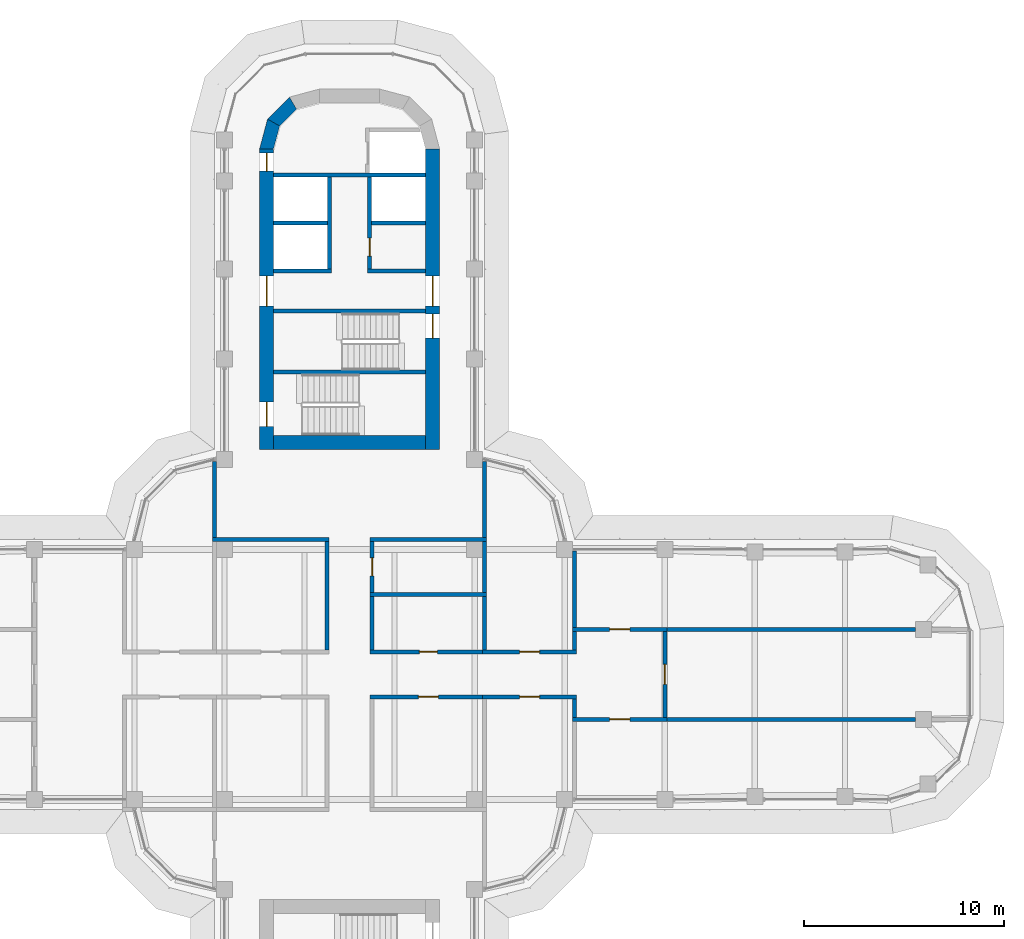
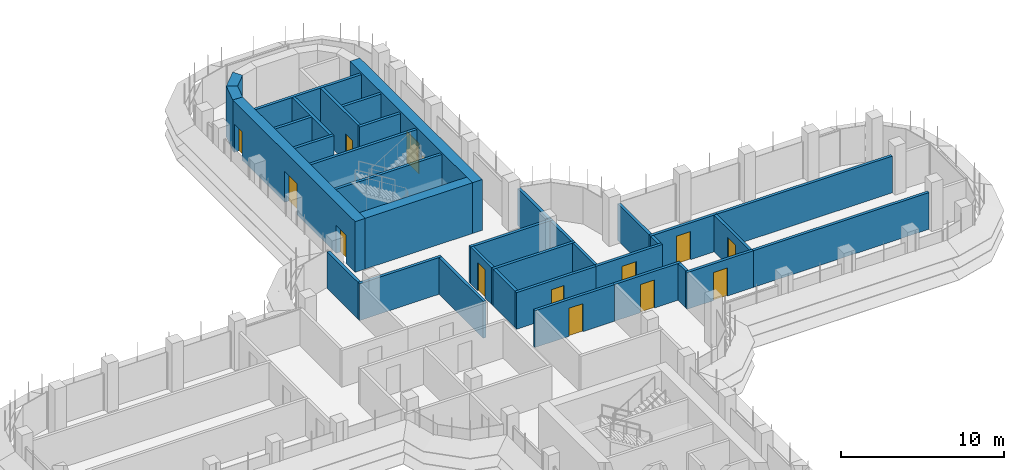
# One storey, part 15 of 20: 36 walls, 14 doors, 14 openings.
"""IFC4 building model written with IfcOpenShell, lengths in metres."""

from ifc_helpers import new_model, si_unit, direction, frame, frame_2d, origin, place, context, subcontext, project, spatial, polyline, rectangle, outline, extrude, material, layer, layer_set, type_object, element, fill, save


model = new_model("IFC4")

# Units and contexts
model_context = context("Model", 3, precision=1e-05, world=origin(), true_north=direction((0.0, 1.0)))
body_context = subcontext(model_context, "Body", "Model", "MODEL_VIEW")
ifc_project = project(units=[si_unit("LENGTHUNIT", "METRE"), si_unit("AREAUNIT", "SQUARE_METRE"), si_unit("VOLUMEUNIT", "CUBIC_METRE"), si_unit("PLANEANGLEUNIT", "RADIAN"), si_unit("MASSUNIT", "GRAM", prefix="KILO")], contexts=[model_context])

# Site, building, storey
site_placement = place(None, origin())
site = spatial("IfcSite", under=ifc_project, at=site_placement, CompositionType="ELEMENT")
building_placement = place(site_placement, origin())
building = spatial("IfcBuilding", under=site, at=building_placement, Name="Zarbagh Exchange Tower", CompositionType="ELEMENT")
storey_placement = place(building_placement, frame((0.0, 0.0, 141.0)))
storey = spatial("IfcBuildingStorey", under=building, at=storey_placement, Name="L33", CompositionType="ELEMENT", Elevation=141.0)

# Wall, opening, door
ifc_material_1 = material(Name="Fire-rated plasterboard partition")
ifc_layer_1 = layer(ifc_material_1, 0.199951171875)
ifc_layer_set_1 = layer_set([ifc_layer_1], Name="RATED PARTITION 200")
wall_type_1 = type_object("IfcWallType", Name="RATED PARTITION 200", PredefinedType="PARTITIONING", material=ifc_layer_set_1)
wall_1_placement = place(storey_placement, frame((1.02490234375, 1.125, 0.0), z_axis=(0.0, 0.0, 1.0), x_axis=(1.0, 0.0, 0.0)))
wall_1 = element("IfcWall", 1, at=wall_1_placement, inside=storey, type_object=wall_type_1, Name="Partition W-1401", PredefinedType="PARTITIONING", context=body_context, shape_type="SweptSolid", body=[
    extrude(rectangle(XDim=5.8251953125, YDim=0.199951171875, at=frame_2d((2.91259765625, 0.0))), origin(), (0.0, 0.0, 1.0), 2.75),
])
opening_1_placement = place(wall_1_placement, frame((2.46240234375, 0.0, 0.0)))
opening_1 = element("IfcOpeningElement", 2, at=opening_1_placement, cuts=wall_1, Name="Opening D-1404", PredefinedType="OPENING", context=body_context, shape_type="SweptSolid", body=[
    extrude(rectangle(XDim=0.89990234375, YDim=2.10009765625, at=frame_2d((0.449951171875, 1.050048828125))), frame((0.0, 0.10986328125, 0.0), z_axis=(0.0, -1.0, 0.0), x_axis=(1.0, 0.0, 0.0)), (0.0, 0.0, 1.0), 0.219970703125),
])
ifc_material_2 = material(Name="Timber door leaf", Category="wood")
door_type_1 = type_object("IfcDoorType", Name="DOOR 900 X 2100", OperationType="NOTDEFINED", PredefinedType="DOOR", material=ifc_material_2)
door_1_placement = place(opening_1_placement, origin())
door_1 = element("IfcDoor", 3, at=door_1_placement, inside=storey, type_object=door_type_1, Name="Door D-1404", OperationType="SINGLE_SWING_RIGHT", OverallHeight=2.10009765625, OverallWidth=0.89990234375, PredefinedType="DOOR", context=body_context, shape_type="SweptSolid", body=[
    extrude(rectangle(XDim=0.89990234375, YDim=2.10009765625, at=frame_2d((0.449951171875, 1.050048828125))), frame((0.0, 0.02490234375, 0.0), z_axis=(0.0, -1.0, 0.0), x_axis=(1.0, 0.0, 0.0)), (0.0, 0.0, 1.0), 0.050048828125),
])
fill(opening_1, door_1)

wall_2_placement = place(storey_placement, frame((6.64990234375, 1.125, 0.0), z_axis=(0.0, 0.0, 1.0), x_axis=(1.0, 0.0, 0.0)))
wall_2 = element("IfcWall", 4, at=wall_2_placement, inside=storey, type_object=wall_type_1, Name="Partition W-1402", PredefinedType="PARTITIONING", context=body_context, shape_type="SweptSolid", body=[
    extrude(rectangle(XDim=4.7001953125, YDim=0.199951171875, at=frame_2d((2.35009765625, 0.0))), origin(), (0.0, 0.0, 1.0), 2.75),
])
opening_2_placement = place(wall_2_placement, frame((1.85009765625, 0.0, 0.0)))
opening_2 = element("IfcOpeningElement", 5, at=opening_2_placement, cuts=wall_2, Name="Opening D-1406", PredefinedType="OPENING", context=body_context, shape_type="SweptSolid", body=[
    extrude(rectangle(XDim=1.0, YDim=2.10009765625, at=frame_2d((0.5, 1.050048828125))), frame((0.0, 0.10986328125, 0.0), z_axis=(0.0, -1.0, 0.0), x_axis=(1.0, 0.0, 0.0)), (0.0, 0.0, 1.0), 0.219970703125),
])
ifc_material_3 = material(Name="Steel door set", Category="steel")
door_type_2 = type_object("IfcDoorType", Name="FIRE DOOR 1000 X 2100 FD30S", OperationType="NOTDEFINED", PredefinedType="DOOR", material=ifc_material_3)
door_2_placement = place(opening_2_placement, origin())
door_2 = element("IfcDoor", 6, at=door_2_placement, inside=storey, type_object=door_type_2, Name="Door D-1406", OperationType="SINGLE_SWING_RIGHT", OverallHeight=2.10009765625, OverallWidth=1.0, PredefinedType="DOOR", context=body_context, shape_type="SweptSolid", body=[
    extrude(rectangle(XDim=1.0, YDim=2.10009765625, at=frame_2d((0.5, 1.050048828125))), frame((0.0, 0.02490234375, 0.0), z_axis=(0.0, -1.0, 0.0), x_axis=(1.0, 0.0, 0.0)), (0.0, 0.0, 1.0), 0.050048828125),
])
fill(opening_2, door_2)

wall_3_placement = place(storey_placement, frame((6.85009765625, -1.125, 0.0), z_axis=(0.0, 0.0, 1.0), x_axis=(-1.0, 0.0, 0.0)))
wall_3 = element("IfcWall", 7, at=wall_3_placement, inside=storey, type_object=wall_type_1, Name="Partition W-1405", PredefinedType="PARTITIONING", context=body_context, shape_type="SweptSolid", body=[
    extrude(rectangle(XDim=5.8251953125, YDim=0.199951171875, at=frame_2d((2.91259765625, 0.0))), origin(), (0.0, 0.0, 1.0), 2.75),
])
opening_3_placement = place(wall_3_placement, frame((2.41259765625, 0.0, 0.0)))
opening_3 = element("IfcOpeningElement", 8, at=opening_3_placement, cuts=wall_3, Name="Opening D-1409", PredefinedType="OPENING", context=body_context, shape_type="SweptSolid", body=[
    extrude(rectangle(XDim=1.0, YDim=2.10009765625, at=frame_2d((0.5, 1.050048828125))), frame((0.0, 0.10986328125, 0.0), z_axis=(0.0, -1.0, 0.0), x_axis=(1.0, 0.0, 0.0)), (0.0, 0.0, 1.0), 0.219970703125),
])
door_3_placement = place(opening_3_placement, origin())
door_3 = element("IfcDoor", 9, at=door_3_placement, inside=storey, type_object=door_type_2, Name="Door D-1409", OperationType="SINGLE_SWING_RIGHT", OverallHeight=2.10009765625, OverallWidth=1.0, PredefinedType="DOOR", context=body_context, shape_type="SweptSolid", body=[
    extrude(rectangle(XDim=1.0, YDim=2.10009765625, at=frame_2d((0.5, 1.050048828125))), frame((0.0, 0.02490234375, 0.0), z_axis=(0.0, -1.0, 0.0), x_axis=(1.0, 0.0, 0.0)), (0.0, 0.0, 1.0), 0.050048828125),
])
fill(opening_3, door_3)

wall_4_placement = place(storey_placement, frame((11.35009765625, -1.125, 0.0), z_axis=(0.0, 0.0, 1.0), x_axis=(-1.0, 0.0, 0.0)))
wall_4 = element("IfcWall", 10, at=wall_4_placement, inside=storey, type_object=wall_type_1, Name="Partition W-1406", PredefinedType="PARTITIONING", context=body_context, shape_type="SweptSolid", body=[
    extrude(rectangle(XDim=4.7001953125, YDim=0.199951171875, at=frame_2d((2.35009765625, 0.0))), origin(), (0.0, 0.0, 1.0), 2.75),
])
opening_4_placement = place(wall_4_placement, frame((1.85009765625, 0.0, 0.0)))
opening_4 = element("IfcOpeningElement", 11, at=opening_4_placement, cuts=wall_4, Name="Opening D-1410", PredefinedType="OPENING", context=body_context, shape_type="SweptSolid", body=[
    extrude(rectangle(XDim=1.0, YDim=2.10009765625, at=frame_2d((0.5, 1.050048828125))), frame((0.0, 0.10986328125, 0.0), z_axis=(0.0, -1.0, 0.0), x_axis=(1.0, 0.0, 0.0)), (0.0, 0.0, 1.0), 0.219970703125),
])
door_4_placement = place(opening_4_placement, origin())
door_4 = element("IfcDoor", 12, at=door_4_placement, inside=storey, type_object=door_type_2, Name="Door D-1410", OperationType="SINGLE_SWING_RIGHT", OverallHeight=2.10009765625, OverallWidth=1.0, PredefinedType="DOOR", context=body_context, shape_type="SweptSolid", body=[
    extrude(rectangle(XDim=1.0, YDim=2.10009765625, at=frame_2d((0.5, 1.050048828125))), frame((0.0, 0.02490234375, 0.0), z_axis=(0.0, -1.0, 0.0), x_axis=(1.0, 0.0, 0.0)), (0.0, 0.0, 1.0), 0.050048828125),
])
fill(opening_4, door_4)

# Wall
wall_5_placement = place(storey_placement, frame((1.125, 1.22509765625, 0.0), z_axis=(0.0, 0.0, 1.0), x_axis=(0.0, 1.0, 0.0)))
element("IfcWall", 13, at=wall_5_placement, inside=storey, type_object=wall_type_1, Name="Partition W-1409", PredefinedType="PARTITIONING", context=body_context, shape_type="SweptSolid", body=[
    extrude(rectangle(XDim=2.6748046875, YDim=0.199951171875, at=frame_2d((1.33740234375, 0.0))), origin(), (0.0, 0.0, 1.0), 2.75),
])

# Wall, opening, door
wall_6_placement = place(storey_placement, frame((1.125, 6.64990234375, 0.0), z_axis=(0.0, 0.0, 1.0), x_axis=(0.0, -1.0, 0.0)))
wall_6 = element("IfcWall", 14, at=wall_6_placement, inside=storey, type_object=wall_type_1, Name="Partition W-1410", PredefinedType="PARTITIONING", context=body_context, shape_type="SweptSolid", body=[
    extrude(rectangle(XDim=2.5498046875, YDim=0.199951171875, at=frame_2d((1.27490234375, 0.0))), origin(), (0.0, 0.0, 1.0), 2.75),
])
opening_5_placement = place(wall_6_placement, frame((0.824951171875, 0.0, 0.0)))
opening_5 = element("IfcOpeningElement", 15, at=opening_5_placement, cuts=wall_6, Name="Opening D-1405", PredefinedType="OPENING", context=body_context, shape_type="SweptSolid", body=[
    extrude(rectangle(XDim=0.89990234375, YDim=2.10009765625, at=frame_2d((0.449951171875, 1.050048828125))), frame((0.0, 0.10986328125, 0.0), z_axis=(0.0, -1.0, 0.0), x_axis=(1.0, 0.0, 0.0)), (0.0, 0.0, 1.0), 0.219970703125),
])
door_5_placement = place(opening_5_placement, origin())
door_5 = element("IfcDoor", 16, at=door_5_placement, inside=storey, type_object=door_type_1, Name="Door D-1405", OperationType="SINGLE_SWING_RIGHT", OverallHeight=2.10009765625, OverallWidth=0.89990234375, PredefinedType="DOOR", context=body_context, shape_type="SweptSolid", body=[
    extrude(rectangle(XDim=0.89990234375, YDim=2.10009765625, at=frame_2d((0.449951171875, 1.050048828125))), frame((0.0, 0.02490234375, 0.0), z_axis=(0.0, -1.0, 0.0), x_axis=(1.0, 0.0, 0.0)), (0.0, 0.0, 1.0), 0.050048828125),
])
fill(opening_5, door_5)

# Walls
wall_7_placement = place(storey_placement, frame((-1.125, 1.22509765625, 0.0), z_axis=(0.0, 0.0, 1.0), x_axis=(0.0, 1.0, 0.0)))
element("IfcWall", 17, at=wall_7_placement, inside=storey, type_object=wall_type_1, Name="Partition W-1411", PredefinedType="PARTITIONING", context=body_context, shape_type="SweptSolid", body=[
    extrude(rectangle(XDim=5.4248046875, YDim=0.199951171875, at=frame_2d((2.71240234375, 0.0))), origin(), (0.0, 0.0, 1.0), 2.75),
])
wall_8_placement = place(storey_placement, frame((1.02490234375, 6.75, 0.0), z_axis=(0.0, 0.0, 1.0), x_axis=(1.0, 0.0, 0.0)))
element("IfcWall", 18, at=wall_8_placement, inside=storey, type_object=wall_type_1, Name="Partition W-1414", PredefinedType="PARTITIONING", context=body_context, shape_type="SweptSolid", body=[
    extrude(rectangle(XDim=5.8251953125, YDim=0.199951171875, at=frame_2d((2.91259765625, 0.0))), origin(), (0.0, 0.0, 1.0), 2.75),
])
wall_9_placement = place(storey_placement, frame((6.75, 6.85009765625, 0.0), z_axis=(0.0, 0.0, 1.0), x_axis=(0.0, 1.0, 0.0)))
element("IfcWall", 19, at=wall_9_placement, inside=storey, type_object=wall_type_1, Name="Partition W-1415", PredefinedType="PARTITIONING", context=body_context, shape_type="SweptSolid", body=[
    extrude(rectangle(XDim=3.77978515625, YDim=0.199951171875, at=frame_2d((1.889892578125, 0.0))), origin(), (0.0, 0.0, 1.0), 2.75),
])
wall_10_placement = place(storey_placement, frame((-6.85009765625, 6.75, 0.0), z_axis=(0.0, 0.0, 1.0), x_axis=(1.0, 0.0, 0.0)))
element("IfcWall", 20, at=wall_10_placement, inside=storey, type_object=wall_type_1, Name="Partition W-1416", PredefinedType="PARTITIONING", context=body_context, shape_type="SweptSolid", body=[
    extrude(rectangle(XDim=5.8251953125, YDim=0.199951171875, at=frame_2d((2.91259765625, 0.0))), origin(), (0.0, 0.0, 1.0), 2.75),
])
wall_11_placement = place(storey_placement, frame((-6.75, 6.85009765625, 0.0), z_axis=(0.0, 0.0, 1.0), x_axis=(0.0, 1.0, 0.0)))
element("IfcWall", 21, at=wall_11_placement, inside=storey, type_object=wall_type_1, Name="Partition W-1417", PredefinedType="PARTITIONING", context=body_context, shape_type="SweptSolid", body=[
    extrude(rectangle(XDim=3.77978515625, YDim=0.199951171875, at=frame_2d((1.889892578125, 0.0))), origin(), (0.0, 0.0, 1.0), 2.75),
])
wall_12_placement = place(storey_placement, frame((1.02490234375, 4.0, 0.0), z_axis=(0.0, 0.0, 1.0), x_axis=(1.0, 0.0, 0.0)))
element("IfcWall", 22, at=wall_12_placement, inside=storey, type_object=wall_type_1, Name="Partition W-1422", PredefinedType="PARTITIONING", context=body_context, shape_type="SweptSolid", body=[
    extrude(rectangle(XDim=5.8251953125, YDim=0.199951171875, at=frame_2d((2.91259765625, 0.0))), origin(), (0.0, 0.0, 1.0), 2.75),
])
wall_13_placement = place(storey_placement, frame((6.75, 1.22509765625, 0.0), z_axis=(0.0, 0.0, 1.0), x_axis=(0.0, 1.0, 0.0)))
element("IfcWall", 23, at=wall_13_placement, inside=storey, type_object=wall_type_1, Name="Partition W-1423", PredefinedType="PARTITIONING", context=body_context, shape_type="SweptSolid", body=[
    extrude(rectangle(XDim=2.6748046875, YDim=0.199951171875, at=frame_2d((1.33740234375, 0.0))), origin(), (0.0, 0.0, 1.0), 2.75),
])
wall_14_placement = place(storey_placement, frame((6.75, 4.10009765625, 0.0), z_axis=(0.0, 0.0, 1.0), x_axis=(0.0, 1.0, 0.0)))
element("IfcWall", 24, at=wall_14_placement, inside=storey, type_object=wall_type_1, Name="Partition W-1424", PredefinedType="PARTITIONING", context=body_context, shape_type="SweptSolid", body=[
    extrude(rectangle(XDim=2.5498046875, YDim=0.199951171875, at=frame_2d((1.27490234375, 0.0))), origin(), (0.0, 0.0, 1.0), 2.75),
])
wall_15_placement = place(storey_placement, frame((11.25, 1.22509765625, 0.0), z_axis=(0.0, 0.0, 1.0), x_axis=(0.0, 1.0, 0.0)))
element("IfcWall", 25, at=wall_15_placement, inside=storey, type_object=wall_type_1, Name="Partition W-1425", PredefinedType="PARTITIONING", context=body_context, shape_type="SweptSolid", body=[
    extrude(rectangle(XDim=0.9248046875, YDim=0.199951171875, at=frame_2d((0.46240234375, 0.0))), origin(), (0.0, 0.0, 1.0), 2.75),
])
wall_16_placement = place(storey_placement, frame((11.25, 2.35009765625, 0.0), z_axis=(0.0, 0.0, 1.0), x_axis=(0.0, 1.0, 0.0)))
element("IfcWall", 26, at=wall_16_placement, inside=storey, type_object=wall_type_1, Name="Partition W-1426", PredefinedType="PARTITIONING", context=body_context, shape_type="SweptSolid", body=[
    extrude(rectangle(XDim=3.81982421875, YDim=0.199951171875, at=frame_2d((1.909912109375, 0.0))), origin(), (0.0, 0.0, 1.0), 2.75),
])
wall_17_placement = place(storey_placement, frame((11.25, -2.14990234375, 0.0), z_axis=(0.0, 0.0, 1.0), x_axis=(0.0, 1.0, 0.0)))
element("IfcWall", 27, at=wall_17_placement, inside=storey, type_object=wall_type_1, Name="Partition W-1430", PredefinedType="PARTITIONING", context=body_context, shape_type="SweptSolid", body=[
    extrude(rectangle(XDim=0.9248046875, YDim=0.199951171875, at=frame_2d((0.46240234375, 0.0))), origin(), (0.0, 0.0, 1.0), 2.75),
])

# Wall, opening, door
wall_18_placement = place(storey_placement, frame((11.14990234375, 2.25, 0.0), z_axis=(0.0, 0.0, 1.0), x_axis=(1.0, 0.0, 0.0)))
wall_18 = element("IfcWall", 28, at=wall_18_placement, inside=storey, type_object=wall_type_1, Name="Partition W-1435", PredefinedType="PARTITIONING", context=body_context, shape_type="SweptSolid", body=[
    extrude(rectangle(XDim=4.7001953125, YDim=0.199951171875, at=frame_2d((2.35009765625, 0.0))), origin(), (0.0, 0.0, 1.0), 2.75),
])
opening_6_placement = place(wall_18_placement, frame((1.85009765625, 0.0, 0.0)))
opening_6 = element("IfcOpeningElement", 29, at=opening_6_placement, cuts=wall_18, Name="Opening D-1402", PredefinedType="OPENING", context=body_context, shape_type="SweptSolid", body=[
    extrude(rectangle(XDim=1.0, YDim=2.10009765625, at=frame_2d((0.5, 1.050048828125))), frame((0.0, 0.10986328125, 0.0), z_axis=(0.0, -1.0, 0.0), x_axis=(1.0, 0.0, 0.0)), (0.0, 0.0, 1.0), 0.219970703125),
])
door_6_placement = place(opening_6_placement, origin())
door_6 = element("IfcDoor", 30, at=door_6_placement, inside=storey, type_object=door_type_2, Name="Door D-1402", OperationType="SINGLE_SWING_RIGHT", OverallHeight=2.10009765625, OverallWidth=1.0, PredefinedType="DOOR", context=body_context, shape_type="SweptSolid", body=[
    extrude(rectangle(XDim=1.0, YDim=2.10009765625, at=frame_2d((0.5, 1.050048828125))), frame((0.0, 0.02490234375, 0.0), z_axis=(0.0, -1.0, 0.0), x_axis=(1.0, 0.0, 0.0)), (0.0, 0.0, 1.0), 0.050048828125),
])
fill(opening_6, door_6)

wall_19_placement = place(storey_placement, frame((15.85009765625, -2.25, 0.0), z_axis=(0.0, 0.0, 1.0), x_axis=(-1.0, 0.0, 0.0)))
wall_19 = element("IfcWall", 31, at=wall_19_placement, inside=storey, type_object=wall_type_1, Name="Partition W-1436", PredefinedType="PARTITIONING", context=body_context, shape_type="SweptSolid", body=[
    extrude(rectangle(XDim=4.7001953125, YDim=0.199951171875, at=frame_2d((2.35009765625, 0.0))), origin(), (0.0, 0.0, 1.0), 2.75),
])
opening_7_placement = place(wall_19_placement, frame((1.85009765625, 0.0, 0.0)))
opening_7 = element("IfcOpeningElement", 32, at=opening_7_placement, cuts=wall_19, Name="Opening D-1403", PredefinedType="OPENING", context=body_context, shape_type="SweptSolid", body=[
    extrude(rectangle(XDim=1.0, YDim=2.10009765625, at=frame_2d((0.5, 1.050048828125))), frame((0.0, 0.10986328125, 0.0), z_axis=(0.0, -1.0, 0.0), x_axis=(1.0, 0.0, 0.0)), (0.0, 0.0, 1.0), 0.219970703125),
])
door_7_placement = place(opening_7_placement, origin())
door_7 = element("IfcDoor", 33, at=door_7_placement, inside=storey, type_object=door_type_2, Name="Door D-1403", OperationType="SINGLE_SWING_RIGHT", OverallHeight=2.10009765625, OverallWidth=1.0, PredefinedType="DOOR", context=body_context, shape_type="SweptSolid", body=[
    extrude(rectangle(XDim=1.0, YDim=2.10009765625, at=frame_2d((0.5, 1.050048828125))), frame((0.0, 0.02490234375, 0.0), z_axis=(0.0, -1.0, 0.0), x_axis=(1.0, 0.0, 0.0)), (0.0, 0.0, 1.0), 0.050048828125),
])
fill(opening_7, door_7)

wall_20_placement = place(storey_placement, frame((15.75, 2.14990234375, 0.0), z_axis=(0.0, 0.0, 1.0), x_axis=(0.0, -1.0, 0.0)))
wall_20 = element("IfcWall", 34, at=wall_20_placement, inside=storey, type_object=wall_type_1, Name="Partition W-1437", PredefinedType="PARTITIONING", context=body_context, shape_type="SweptSolid", body=[
    extrude(rectangle(XDim=4.2998046875, YDim=0.199951171875, at=frame_2d((2.14990234375, 0.0))), origin(), (0.0, 0.0, 1.0), 2.75),
])
opening_8_placement = place(wall_20_placement, frame((1.64990234375, 0.0, 0.0)))
opening_8 = element("IfcOpeningElement", 35, at=opening_8_placement, cuts=wall_20, Name="Opening D-1401", PredefinedType="OPENING", context=body_context, shape_type="SweptSolid", body=[
    extrude(rectangle(XDim=1.0, YDim=2.10009765625, at=frame_2d((0.5, 1.050048828125))), frame((0.0, 0.10986328125, 0.0), z_axis=(0.0, -1.0, 0.0), x_axis=(1.0, 0.0, 0.0)), (0.0, 0.0, 1.0), 0.219970703125),
])
door_8_placement = place(opening_8_placement, origin())
door_8 = element("IfcDoor", 36, at=door_8_placement, inside=storey, type_object=door_type_2, Name="Door D-1401", OperationType="SINGLE_SWING_RIGHT", OverallHeight=2.10009765625, OverallWidth=1.0, PredefinedType="DOOR", context=body_context, shape_type="SweptSolid", body=[
    extrude(rectangle(XDim=1.0, YDim=2.10009765625, at=frame_2d((0.5, 1.050048828125))), frame((0.0, 0.02490234375, 0.0), z_axis=(0.0, -1.0, 0.0), x_axis=(1.0, 0.0, 0.0)), (0.0, 0.0, 1.0), 0.050048828125),
])
fill(opening_8, door_8)

# Walls
for number, where, z_axis, x_axis, name in (
    (37, (15.64990234375, 2.25, 0.0), (0.0, 0.0, 1.0), (1.0, 0.0, 0.0), "Partition W-1438"),
    (38, (15.64990234375, -2.25, 0.0), (0.0, 0.0, 1.0), (1.0, 0.0, 0.0), "Partition W-1440"),
):
    element("IfcWall", number, at=place(storey_placement, frame(where, z_axis=z_axis, x_axis=x_axis)), inside=storey, type_object=wall_type_1, Name=name, PredefinedType="PARTITIONING", context=body_context, shape_type="SweptSolid", body=[
        extrude(rectangle(XDim=12.6201171875, YDim=0.199951171875, at=frame_2d((6.31005859375, 0.0))), origin(), (0.0, 0.0, 1.0), 2.75),
    ])
ifc_material_4 = material(Name="Concrete C50/60", Category="concrete")
ifc_layer_2 = layer(ifc_material_4, 0.699951171875)
ifc_layer_set_2 = layer_set([ifc_layer_2], Name="RC core corner wall 700 C50/60")
wall_type_2 = type_object("IfcWallType", Name="RC core corner wall 700 C50/60", PredefinedType="SHEAR", material=ifc_layer_set_2)
wall_21_placement = place(storey_placement, origin())
element("IfcWall", 39, at=wall_21_placement, inside=storey, type_object=wall_type_2, Name="CW6 core N corner W", PredefinedType="SHEAR", context=body_context, shape_type="SweptSolid", body=[
    extrude(outline(polyline([(-4.5, 26.25), (-4.09814453125, 27.75), (-3.491943359375, 27.39990234375), (-3.800048828125, 26.25), (-4.5, 26.25)])), origin(), (0.0, 0.0, 1.0), 3.800048828125),
])
wall_22_placement = place(storey_placement, origin())
element("IfcWall", 40, at=wall_22_placement, inside=storey, type_object=wall_type_2, Name="CW6 core N corner W", PredefinedType="SHEAR", context=body_context, shape_type="SweptSolid", body=[
    extrude(outline(polyline([(-4.09814453125, 27.75), (-3.0, 28.84814453125), (-2.64990234375, 28.241943359375), (-3.491943359375, 27.39990234375), (-4.09814453125, 27.75)])), origin(), (0.0, 0.0, 1.0), 3.800048828125),
])

# Wall, openings, doors
ifc_layer_3 = layer(ifc_material_4, 0.699951171875)
ifc_layer_set_3 = layer_set([ifc_layer_3], Name="RC core wall 700 C50/60")
wall_type_3 = type_object("IfcWallType", Name="RC core wall 700 C50/60", PredefinedType="SHEAR", material=ifc_layer_set_3)
wall_23_placement = place(storey_placement, frame((-4.14990234375, 11.25, 0.0), z_axis=(0.0, 0.0, 1.0), x_axis=(0.0, 1.0, 0.0)))
wall_23 = element("IfcWall", 41, at=wall_23_placement, inside=storey, type_object=wall_type_3, Name="CW5 core N W", PredefinedType="SHEAR", context=body_context, shape_type="SweptSolid", body=[
    extrude(rectangle(XDim=15.0, YDim=0.699951171875, at=frame_2d((7.5, 0.0))), origin(), (0.0, 0.0, 1.0), 3.800048828125),
])
opening_9_placement = place(wall_23_placement, frame((7.14990234375, 0.0, 0.0)))
opening_9 = element("IfcOpeningElement", 42, at=opening_9_placement, cuts=wall_23, Name="Opening CD1-1500", PredefinedType="OPENING", context=body_context, shape_type="SweptSolid", body=[
    extrude(rectangle(XDim=1.5, YDim=2.300048828125, at=frame_2d((0.75, 1.14990234375))), frame((0.0, 0.35986328125, 0.0), z_axis=(0.0, -1.0, 0.0), x_axis=(1.0, 0.0, 0.0)), (0.0, 0.0, 1.0), 0.719970703125),
])
opening_10_placement = place(wall_23_placement, frame((13.89990234375, 0.0, 0.0)))
opening_10 = element("IfcOpeningElement", 43, at=opening_10_placement, cuts=wall_23, Name="Opening CD2-900", PredefinedType="OPENING", context=body_context, shape_type="SweptSolid", body=[
    extrude(rectangle(XDim=0.89990234375, YDim=2.10009765625, at=frame_2d((0.449951171875, 1.050048828125))), frame((0.0, 0.35986328125, 0.0), z_axis=(0.0, -1.0, 0.0), x_axis=(1.0, 0.0, 0.0)), (0.0, 0.0, 1.0), 0.719970703125),
])
opening_11_placement = place(wall_23_placement, frame((1.14990234375, 0.0, 0.0)))
opening_11 = element("IfcOpeningElement", 44, at=opening_11_placement, cuts=wall_23, Name="Opening SD1-1200", PredefinedType="OPENING", context=body_context, shape_type="SweptSolid", body=[
    extrude(rectangle(XDim=1.199951171875, YDim=2.10009765625, at=frame_2d((0.60009765625, 1.050048828125))), frame((0.0, 0.35986328125, 0.0), z_axis=(0.0, -1.0, 0.0), x_axis=(1.0, 0.0, 0.0)), (0.0, 0.0, 1.0), 0.719970703125),
])
ifc_material_5 = material(Name="Steel", Category="steel")
door_type_3 = type_object("IfcDoorType", Name="Exit stair door 1200 x 2100", OperationType="NOTDEFINED", PredefinedType="DOOR", material=ifc_material_5)
door_9_placement = place(opening_11_placement, origin())
door_9 = element("IfcDoor", 45, at=door_9_placement, inside=storey, type_object=door_type_3, Name="North core stair door ST2", OperationType="SINGLE_SWING_RIGHT", OverallHeight=2.10009765625, OverallWidth=1.199951171875, PredefinedType="DOOR", context=body_context, shape_type="SweptSolid", body=[
    extrude(rectangle(XDim=1.199951171875, YDim=2.10009765625, at=frame_2d((0.60009765625, 1.050048828125))), frame((0.0, 0.02490234375, 0.0), z_axis=(0.0, -1.0, 0.0), x_axis=(1.0, 0.0, 0.0)), (0.0, 0.0, 1.0), 0.050048828125),
])
fill(opening_11, door_9)
door_type_4 = type_object("IfcDoorType", Name="Firefighting lobby door 900 x 2100", OperationType="NOTDEFINED", PredefinedType="DOOR", material=ifc_material_5)
door_10_placement = place(opening_10_placement, origin())
door_10 = element("IfcDoor", 46, at=door_10_placement, inside=storey, type_object=door_type_4, Name="North core firefighting lobby door FF-W", OperationType="SINGLE_SWING_RIGHT", OverallHeight=2.10009765625, OverallWidth=0.89990234375, PredefinedType="DOOR", context=body_context, shape_type="SweptSolid", body=[
    extrude(rectangle(XDim=0.89990234375, YDim=2.10009765625, at=frame_2d((0.449951171875, 1.050048828125))), frame((0.0, 0.02490234375, 0.0), z_axis=(0.0, -1.0, 0.0), x_axis=(1.0, 0.0, 0.0)), (0.0, 0.0, 1.0), 0.050048828125),
])
fill(opening_10, door_10)
door_type_5 = type_object("IfcDoorType", Name="Lift lobby double door 1500 x 2300", OperationType="NOTDEFINED", PredefinedType="DOOR", material=ifc_material_5)
door_11_placement = place(opening_9_placement, origin())
door_11 = element("IfcDoor", 47, at=door_11_placement, inside=storey, type_object=door_type_5, Name="North core lift lobby door LOBBY-W", OperationType="DOUBLE_DOOR_SINGLE_SWING", OverallHeight=2.300048828125, OverallWidth=1.5, PredefinedType="DOOR", context=body_context, shape_type="SweptSolid", body=[
    extrude(rectangle(XDim=1.5, YDim=2.300048828125, at=frame_2d((0.75, 1.14990234375))), frame((0.0, 0.02490234375, 0.0), z_axis=(0.0, -1.0, 0.0), x_axis=(1.0, 0.0, 0.0)), (0.0, 0.0, 1.0), 0.050048828125),
])
fill(opening_9, door_11)

wall_24_placement = place(storey_placement, frame((4.14990234375, 11.25, 0.0), z_axis=(0.0, 0.0, 1.0), x_axis=(0.0, 1.0, 0.0)))
wall_24 = element("IfcWall", 48, at=wall_24_placement, inside=storey, type_object=wall_type_3, Name="CW5 core N E", PredefinedType="SHEAR", context=body_context, shape_type="SweptSolid", body=[
    extrude(rectangle(XDim=15.0, YDim=0.699951171875, at=frame_2d((7.5, 0.0))), origin(), (0.0, 0.0, 1.0), 3.800048828125),
])
opening_12_placement = place(wall_24_placement, frame((7.14990234375, 0.0, 0.0)))
opening_12 = element("IfcOpeningElement", 49, at=opening_12_placement, cuts=wall_24, Name="Opening CD1-1500", PredefinedType="OPENING", context=body_context, shape_type="SweptSolid", body=[
    extrude(rectangle(XDim=1.5, YDim=2.300048828125, at=frame_2d((0.75, 1.14990234375))), frame((0.0, 0.35986328125, 0.0), z_axis=(0.0, -1.0, 0.0), x_axis=(1.0, 0.0, 0.0)), (0.0, 0.0, 1.0), 0.719970703125),
])
opening_13_placement = place(wall_24_placement, frame((5.550048828125, 0.0, 0.0)))
opening_13 = element("IfcOpeningElement", 50, at=opening_13_placement, cuts=wall_24, Name="Opening SD1-1200", PredefinedType="OPENING", context=body_context, shape_type="SweptSolid", body=[
    extrude(rectangle(XDim=1.199951171875, YDim=2.10009765625, at=frame_2d((0.60009765625, 1.050048828125))), frame((0.0, 0.35986328125, 0.0), z_axis=(0.0, -1.0, 0.0), x_axis=(1.0, 0.0, 0.0)), (0.0, 0.0, 1.0), 0.719970703125),
])
door_12_placement = place(opening_13_placement, origin())
door_12 = element("IfcDoor", 51, at=door_12_placement, inside=storey, type_object=door_type_3, Name="North core stair door ST1", OperationType="SINGLE_SWING_LEFT", OverallHeight=2.10009765625, OverallWidth=1.199951171875, PredefinedType="DOOR", context=body_context, shape_type="SweptSolid", body=[
    extrude(rectangle(XDim=1.199951171875, YDim=2.10009765625, at=frame_2d((0.60009765625, 1.050048828125))), frame((0.0, 0.02490234375, 0.0), z_axis=(0.0, -1.0, 0.0), x_axis=(1.0, 0.0, 0.0)), (0.0, 0.0, 1.0), 0.050048828125),
])
fill(opening_13, door_12)
door_13_placement = place(opening_12_placement, origin())
door_13 = element("IfcDoor", 52, at=door_13_placement, inside=storey, type_object=door_type_5, Name="North core lift lobby door LOBBY-E", OperationType="DOUBLE_DOOR_SINGLE_SWING", OverallHeight=2.300048828125, OverallWidth=1.5, PredefinedType="DOOR", context=body_context, shape_type="SweptSolid", body=[
    extrude(rectangle(XDim=1.5, YDim=2.300048828125, at=frame_2d((0.75, 1.14990234375))), frame((0.0, 0.02490234375, 0.0), z_axis=(0.0, -1.0, 0.0), x_axis=(1.0, 0.0, 0.0)), (0.0, 0.0, 1.0), 0.050048828125),
])
fill(opening_12, door_13)

# Walls
wall_25_placement = place(storey_placement, frame((-3.800048828125, 11.60009765625, 0.0), z_axis=(0.0, 0.0, 1.0), x_axis=(1.0, 0.0, 0.0)))
element("IfcWall", 53, at=wall_25_placement, inside=storey, type_object=wall_type_3, Name="CW5 core N inner end", PredefinedType="SHEAR", context=body_context, shape_type="SweptSolid", body=[
    extrude(rectangle(XDim=7.60009765625, YDim=0.699951171875, at=frame_2d((3.800048828125, 0.0))), origin(), (0.0, 0.0, 1.0), 3.800048828125),
])
ifc_material_6 = material(Name="Dense blockwork", Category="masonry")
ifc_layer_4 = layer(ifc_material_6, 0.199951171875)
ifc_layer_set_4 = layer_set([ifc_layer_4], Name="Shaft wall 200 mm blockwork")
wall_type_4 = type_object("IfcWallType", Name="Shaft wall 200 mm blockwork", PredefinedType="PARTITIONING", material=ifc_layer_set_4)
wall_26_placement = place(storey_placement, frame((-3.800048828125, 20.14990234375, 0.0), z_axis=(0.0, 0.0, 1.0), x_axis=(1.0, 0.0, 0.0)))
element("IfcWall", 54, at=wall_26_placement, inside=storey, type_object=wall_type_4, Name="North core shaft wall AB-W", PredefinedType="PARTITIONING", context=body_context, shape_type="SweptSolid", body=[
    extrude(rectangle(XDim=2.900146484375, YDim=0.199951171875, at=frame_2d((1.4501953125, 0.0))), origin(), (0.0, 0.0, 1.0), 3.64990234375),
])
wall_27_placement = place(storey_placement, frame((-1.0, 24.85009765625, 0.0), z_axis=(0.0, 0.0, 1.0), x_axis=(0.0, -1.0, 0.0)))
element("IfcWall", 55, at=wall_27_placement, inside=storey, type_object=wall_type_4, Name="North core shaft wall LW-W", PredefinedType="PARTITIONING", context=body_context, shape_type="SweptSolid", body=[
    extrude(rectangle(XDim=4.60009765625, YDim=0.199951171875, at=frame_2d((2.300048828125, 0.0))), origin(), (0.0, 0.0, 1.0), 3.64990234375),
])
wall_28_placement = place(storey_placement, frame((0.89990234375, 20.14990234375, 0.0), z_axis=(0.0, 0.0, 1.0), x_axis=(1.0, 0.0, 0.0)))
element("IfcWall", 56, at=wall_28_placement, inside=storey, type_object=wall_type_4, Name="North core shaft wall AB-E", PredefinedType="PARTITIONING", context=body_context, shape_type="SweptSolid", body=[
    extrude(rectangle(XDim=2.900146484375, YDim=0.199951171875, at=frame_2d((1.4501953125, 0.0))), origin(), (0.0, 0.0, 1.0), 3.64990234375),
])

# Wall, opening, door
wall_29_placement = place(storey_placement, frame((1.0, 24.85009765625, 0.0), z_axis=(0.0, 0.0, 1.0), x_axis=(0.0, -1.0, 0.0)))
wall_29 = element("IfcWall", 57, at=wall_29_placement, inside=storey, type_object=wall_type_4, Name="North core shaft wall LW-E", PredefinedType="PARTITIONING", context=body_context, shape_type="SweptSolid", body=[
    extrude(rectangle(XDim=4.60009765625, YDim=0.199951171875, at=frame_2d((2.300048828125, 0.0))), origin(), (0.0, 0.0, 1.0), 3.64990234375),
])
opening_14_placement = place(wall_29_placement, frame((3.050048828125, 0.0, 0.0)))
opening_14 = element("IfcOpeningElement", 58, at=opening_14_placement, cuts=wall_29, Name="Opening CD3-900", PredefinedType="OPENING", context=body_context, shape_type="SweptSolid", body=[
    extrude(rectangle(XDim=0.89990234375, YDim=2.10009765625, at=frame_2d((0.449951171875, 1.050048828125))), frame((0.0, 0.10986328125, 0.0), z_axis=(0.0, -1.0, 0.0), x_axis=(1.0, 0.0, 0.0)), (0.0, 0.0, 1.0), 0.219970703125),
])
door_type_6 = type_object("IfcDoorType", Name="Core room door 900 x 2100", OperationType="NOTDEFINED", PredefinedType="DOOR", material=ifc_material_5)
door_14_placement = place(opening_14_placement, origin())
door_14 = element("IfcDoor", 59, at=door_14_placement, inside=storey, type_object=door_type_6, Name="North core Accessible WC door RD-E-0", OperationType="SINGLE_SWING_LEFT", OverallHeight=2.10009765625, OverallWidth=0.89990234375, PredefinedType="DOOR", context=body_context, shape_type="SweptSolid", body=[
    extrude(rectangle(XDim=0.89990234375, YDim=2.10009765625, at=frame_2d((0.449951171875, 1.050048828125))), frame((0.0, 0.02490234375, 0.0), z_axis=(0.0, -1.0, 0.0), x_axis=(1.0, 0.0, 0.0)), (0.0, 0.0, 1.0), 0.050048828125),
])
fill(opening_14, door_14)

# Walls
for number, where, z_axis, x_axis, name in (
    (60, (-3.800048828125, 22.550048828125, 0.0), (0.0, 0.0, 1.0), (1.0, 0.0, 0.0), "North core shaft wall TR-W"),
    (61, (1.10009765625, 22.550048828125, 0.0), (0.0, 0.0, 1.0), (1.0, 0.0, 0.0), "North core shaft wall TR-E"),
):
    element("IfcWall", number, at=place(storey_placement, frame(where, z_axis=z_axis, x_axis=x_axis)), inside=storey, type_object=wall_type_4, Name=name, PredefinedType="PARTITIONING", context=body_context, shape_type="SweptSolid", body=[
        extrude(rectangle(XDim=2.699951171875, YDim=0.199951171875, at=frame_2d((1.35009765625, 0.0))), origin(), (0.0, 0.0, 1.0), 3.64990234375),
    ])
ifc_material_7 = material(Name="Concrete C40/50", Category="concrete")
ifc_layer_5 = layer(ifc_material_7, 0.199951171875)
ifc_layer_set_5 = layer_set([ifc_layer_5], Name="Stair enclosure wall 200 mm RC C40/50")
wall_type_5 = type_object("IfcWallType", Name="Stair enclosure wall 200 mm RC C40/50", PredefinedType="SHEAR", material=ifc_layer_set_5)
for number, where, z_axis, x_axis, name in (
    (62, (-3.800048828125, 24.949951171875, 0.0), (0.0, 0.0, 1.0), (1.0, 0.0, 0.0), "North core lift shaft wall FFA"),
    (63, (-3.800048828125, 18.14990234375, 0.0), (0.0, 0.0, 1.0), (1.0, 0.0, 0.0), "North core stair wall BS"),
    (64, (-3.800048828125, 15.10009765625, 0.0), (0.0, 0.0, 1.0), (1.0, 0.0, 0.0), "North core stair wall ST12"),
):
    element("IfcWall", number, at=place(storey_placement, frame(where, z_axis=z_axis, x_axis=x_axis)), inside=storey, type_object=wall_type_5, Name=name, PredefinedType="SHEAR", context=body_context, shape_type="SweptSolid", body=[
        extrude(rectangle(XDim=7.60009765625, YDim=0.199951171875, at=frame_2d((3.800048828125, 0.0))), origin(), (0.0, 0.0, 1.0), 3.64990234375),
    ])

save(model, "model.ifc")
